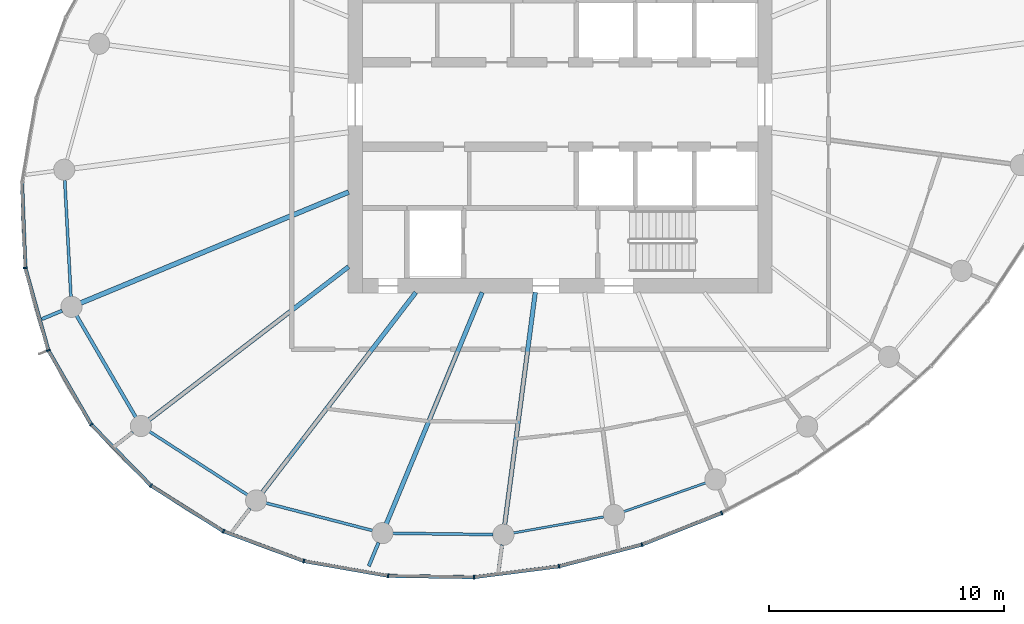
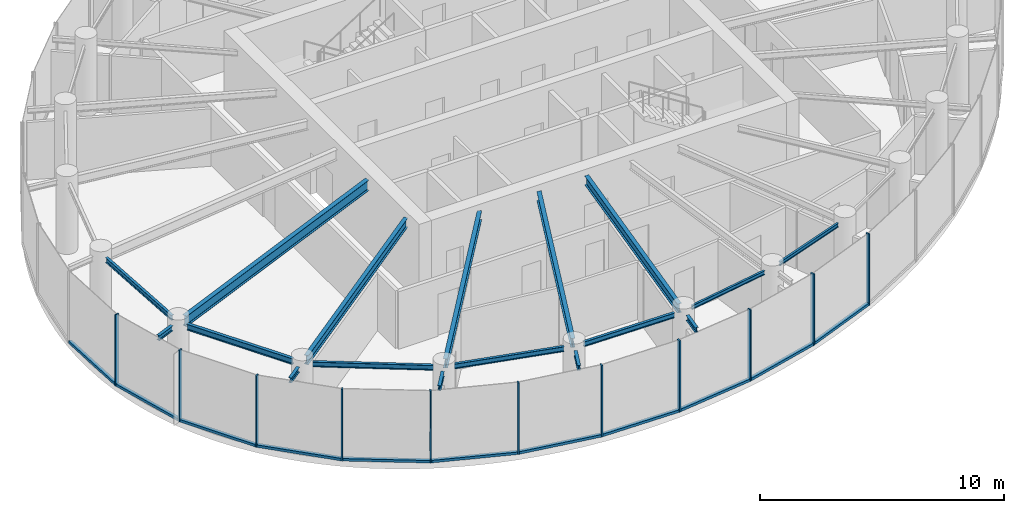
# One storey, part 2 of 14: 22 members, 17 beams, 3 elements without a shape of their own.
"""IFC4 building model written with IfcOpenShell, lengths in metres."""

from ifc_helpers import new_model, si_unit, direction, frame, origin, origin_2d, place, context, subcontext, project, spatial, rectangle, i_section, extrude, source, transform, mapped, material, layer, layer_set, material_profile, profile_set, type_object, element, aggregate, save


model = new_model("IFC4")

# Units and contexts
model_context = context("Model", 3, precision=1e-05, world=origin(), true_north=direction((0.0, 1.0)))
body_context = subcontext(model_context, "Body", "Model", "MODEL_VIEW")
ifc_project = project(units=[si_unit("LENGTHUNIT", "METRE"), si_unit("AREAUNIT", "SQUARE_METRE"), si_unit("VOLUMEUNIT", "CUBIC_METRE"), si_unit("PLANEANGLEUNIT", "RADIAN"), si_unit("MASSUNIT", "GRAM", prefix="KILO")], contexts=[model_context])

# Site, building, storey
site_placement = place(None, origin())
site = spatial("IfcSite", under=ifc_project, at=site_placement, CompositionType="ELEMENT")
building_placement = place(site_placement, origin())
building = spatial("IfcBuilding", under=site, at=building_placement, Name="Spindrift Exchange Tower", CompositionType="ELEMENT")
storey_placement = place(building_placement, frame((0.0, 0.0, 215.0)))
storey = spatial("IfcBuildingStorey", under=building, at=storey_placement, Name="L52", CompositionType="ELEMENT", Elevation=215.0)

# Beams
ifc_material_1 = material(Name="Steel Grade 300", Category="steel")
ifc_material_profile_1 = material_profile(ifc_material_1, i_section(OverallWidth=0.208984375, OverallDepth=0.528076171875, WebThickness=0.009521484375, FlangeThickness=0.01318359375, FilletRadius=0.013916015625, at=origin_2d()), Name="530UB82.0")
ifc_profile_set_1 = profile_set([ifc_material_profile_1], Name="Steel Grade 300")
beam_type_1 = type_object("IfcBeamType", Name="Floor Beam 530UB82.0 Steel Grade 300", PredefinedType="BEAM", material=ifc_profile_set_1)
shared_shape_1 = source(origin(), body_context, "Body", "SweptSolid", [
    extrude(i_section(OverallWidth=0.208984375, OverallDepth=0.528076171875, WebThickness=0.009521484375, FlangeThickness=0.01318359375, FilletRadius=0.013916015625, at=origin_2d()), origin(), (0.0, 0.0, 1.0), 12.3115234375),
])
beam_1_placement = place(storey_placement, frame((43.0185546875, 44.27978515625, 3.31591796875), z_axis=(-0.923878099838, -0.382686891126, 0.0), x_axis=(0.382686891126, -0.923878099838, 0.0)))
element("IfcBeam", 1, at=beam_1_placement, inside=storey, type_object=beam_type_1, Name="L52 radial beam R14A", PredefinedType="BEAM", context=body_context, shape_type="MappedRepresentation", body=[
    mapped(shared_shape_1, transform((0.0, 0.0, 0.0), scale=1.0)),
])
ifc_material_profile_2 = material_profile(ifc_material_1, i_section(OverallWidth=0.18994140625, OverallDepth=0.4541015625, WebThickness=0.008544921875, FlangeThickness=0.0126953125, FilletRadius=0.013916015625, at=origin_2d()), Name="460UB67.1")
ifc_profile_set_2 = profile_set([ifc_material_profile_2], Name="Steel Grade 300")
beam_type_2 = type_object("IfcBeamType", Name="Floor Beam 460UB67.1 Steel Grade 300", PredefinedType="BEAM", material=ifc_profile_set_2)
shared_shape_2 = source(origin(), body_context, "Body", "SweptSolid", [
    extrude(i_section(OverallWidth=0.18994140625, OverallDepth=0.4541015625, WebThickness=0.008544921875, FlangeThickness=0.0126953125, FilletRadius=0.013916015625, at=origin_2d()), origin(), (0.0, 0.0, 1.0), 10.684814453125),
])
beam_2_placement = place(storey_placement, frame((43.015869140625, 41.106201171875, 3.35302734375), z_axis=(-0.793357316898, -0.608756246559, 0.0), x_axis=(0.608756246559, -0.793357316898, 0.0)))
element("IfcBeam", 2, at=beam_2_placement, inside=storey, type_object=beam_type_2, Name="L52 radial beam R15A", PredefinedType="BEAM", context=body_context, shape_type="MappedRepresentation", body=[
    mapped(shared_shape_2, transform((0.0, 0.0, 0.0), scale=1.0)),
])
shared_shape_3 = source(origin(), body_context, "Body", "SweptSolid", [
    extrude(i_section(OverallWidth=0.18994140625, OverallDepth=0.4541015625, WebThickness=0.008544921875, FlangeThickness=0.0126953125, FilletRadius=0.013916015625, at=origin_2d()), origin(), (0.0, 0.0, 1.0), 10.711181640625),
])
beam_3_placement = place(storey_placement, frame((45.87353515625, 40.015869140625, 3.35302734375), z_axis=(-0.608756401092, -0.793357198322, 0.0), x_axis=(0.793357198322, -0.608756401092, 0.0)))
element("IfcBeam", 3, at=beam_3_placement, inside=storey, type_object=beam_type_2, Name="L52 radial beam R16A", PredefinedType="BEAM", context=body_context, shape_type="MappedRepresentation", body=[
    mapped(shared_shape_3, transform((0.0, 0.0, 0.0), scale=1.0)),
])
shared_shape_4 = source(origin(), body_context, "Body", "SweptSolid", [
    extrude(i_section(OverallWidth=0.18994140625, OverallDepth=0.4541015625, WebThickness=0.008544921875, FlangeThickness=0.0126953125, FilletRadius=0.013916015625, at=origin_2d()), origin(), (0.0, 0.0, 1.0), 10.64111328125),
])
beam_4_placement = place(storey_placement, frame((48.69384765625, 40.0185546875, 3.35302734375), z_axis=(-0.382672627597, -0.923884007919, 0.0), x_axis=(0.923884007919, -0.382672627597, 0.0)))
element("IfcBeam", 4, at=beam_4_placement, inside=storey, type_object=beam_type_2, Name="L52 radial beam R17A", PredefinedType="BEAM", context=body_context, shape_type="MappedRepresentation", body=[
    mapped(shared_shape_4, transform((0.0, 0.0, 0.0), scale=1.0)),
])
shared_shape_5 = source(origin(), body_context, "Body", "SweptSolid", [
    extrude(i_section(OverallWidth=0.18994140625, OverallDepth=0.4541015625, WebThickness=0.008544921875, FlangeThickness=0.0126953125, FilletRadius=0.013916015625, at=origin_2d()), origin(), (0.0, 0.0, 1.0), 9.95703125),
])
beam_5_placement = place(storey_placement, frame((50.949462890625, 40.019775390625, 3.35302734375), z_axis=(-0.130541406635, -0.991442858239, 0.0), x_axis=(0.991442858239, -0.130541406635, 0.0)))
element("IfcBeam", 5, at=beam_5_placement, inside=storey, type_object=beam_type_2, Name="L52 radial beam R18A", PredefinedType="BEAM", context=body_context, shape_type="MappedRepresentation", body=[
    mapped(shared_shape_5, transform((0.0, 0.0, 0.0), scale=1.0)),
])
ifc_material_profile_3 = material_profile(ifc_material_1, i_section(OverallWidth=0.1240234375, OverallDepth=0.248046875, WebThickness=0.0048828125, FlangeThickness=0.008056640625, FilletRadius=0.011962890625, at=origin_2d()), Name="250UB25.7")
ifc_profile_set_3 = profile_set([ifc_material_profile_3], Name="Steel Grade 300")
beam_type_3 = type_object("IfcBeamType", Name="Edge Beam 250UB25.7 Steel Grade 300", PredefinedType="SPANDREL", material=ifc_profile_set_3)
shared_shape_6 = source(origin(), body_context, "Body", "SweptSolid", [
    extrude(i_section(OverallWidth=0.1240234375, OverallDepth=0.248046875, WebThickness=0.0048828125, FlangeThickness=0.008056640625, FilletRadius=0.011962890625, at=origin_2d()), origin(), (0.0, 0.0, 1.0), 4.971435546875),
])
beam_6_placement = place(storey_placement, frame((30.96044921875, 44.797607421875, 3.4560546875), z_axis=(0.053038255124, -0.998592481192, 0.0), x_axis=(0.998592481192, 0.053038255124, 0.0)))
element("IfcBeam", 6, at=beam_6_placement, inside=storey, type_object=beam_type_3, Name="L52 edge beam E13", PredefinedType="SPANDREL", context=body_context, shape_type="MappedRepresentation", body=[
    mapped(shared_shape_6, transform((0.0, 0.0, 0.0), scale=1.0)),
])
ifc_material_profile_4 = material_profile(ifc_material_1, i_section(OverallWidth=0.14892578125, OverallDepth=0.298095703125, WebThickness=0.005615234375, FlangeThickness=0.008056640625, FilletRadius=0.012939453125, at=origin_2d()), Name="310UB32.0")
ifc_profile_set_4 = profile_set([ifc_material_profile_4], Name="Steel Grade 300")
beam_type_4 = type_object("IfcBeamType", Name="Edge Beam 310UB32.0 Steel Grade 300", PredefinedType="SPANDREL", material=ifc_profile_set_4)
shared_shape_7 = source(origin(), body_context, "Body", "SweptSolid", [
    extrude(i_section(OverallWidth=0.14892578125, OverallDepth=0.298095703125, WebThickness=0.005615234375, FlangeThickness=0.008056640625, FilletRadius=0.012939453125, at=origin_2d()), origin(), (0.0, 0.0, 1.0), 5.0009765625),
])
beam_7_placement = place(storey_placement, frame((31.46337890625, 39.0322265625, 3.430908203125), z_axis=(0.503512812094, -0.863987759205, 0.0), x_axis=(0.863987759205, 0.503512812094, 0.0)))
element("IfcBeam", 7, at=beam_7_placement, inside=storey, type_object=beam_type_4, Name="L52 edge beam E14", PredefinedType="SPANDREL", context=body_context, shape_type="MappedRepresentation", body=[
    mapped(shared_shape_7, transform((0.0, 0.0, 0.0), scale=1.0)),
])
shared_shape_8 = source(origin(), body_context, "Body", "SweptSolid", [
    extrude(i_section(OverallWidth=0.1240234375, OverallDepth=0.248046875, WebThickness=0.0048828125, FlangeThickness=0.008056640625, FilletRadius=0.011962890625, at=origin_2d()), origin(), (0.0, 0.0, 1.0), 4.966552734375),
])
beam_8_placement = place(storey_placement, frame((34.55908203125, 34.106689453125, 3.4560546875), z_axis=(0.839802198579, -0.54289250065, 0.0), x_axis=(0.54289250065, 0.839802198579, 0.0)))
element("IfcBeam", 8, at=beam_8_placement, inside=storey, type_object=beam_type_3, Name="L52 edge beam E15", PredefinedType="SPANDREL", context=body_context, shape_type="MappedRepresentation", body=[
    mapped(shared_shape_8, transform((0.0, 0.0, 0.0), scale=1.0)),
])
shared_shape_9 = source(origin(), body_context, "Body", "SweptSolid", [
    extrude(i_section(OverallWidth=0.1240234375, OverallDepth=0.248046875, WebThickness=0.0048828125, FlangeThickness=0.008056640625, FilletRadius=0.011962890625, at=origin_2d()), origin(), (0.0, 0.0, 1.0), 4.682373046875),
])
beam_9_placement = place(storey_placement, frame((39.507568359375, 31.0693359375, 3.4560546875), z_axis=(0.968201586176, -0.250171318352, 0.0), x_axis=(0.250171318352, 0.968201586176, 0.0)))
element("IfcBeam", 9, at=beam_9_placement, inside=storey, type_object=beam_type_3, Name="L52 edge beam E16", PredefinedType="SPANDREL", context=body_context, shape_type="MappedRepresentation", body=[
    mapped(shared_shape_9, transform((0.0, 0.0, 0.0), scale=1.0)),
])
shared_shape_10 = source(origin(), body_context, "Body", "SweptSolid", [
    extrude(i_section(OverallWidth=0.1240234375, OverallDepth=0.248046875, WebThickness=0.0048828125, FlangeThickness=0.008056640625, FilletRadius=0.011962890625, at=origin_2d()), origin(), (0.0, 0.0, 1.0), 4.27685546875),
])
beam_10_placement = place(storey_placement, frame((44.88720703125, 29.78466796875, 3.4560546875), z_axis=(0.999910013527, -0.013415097807, 0.0), x_axis=(0.013415097807, 0.999910013527, 0.0)))
element("IfcBeam", 10, at=beam_10_placement, inside=storey, type_object=beam_type_3, Name="L52 edge beam E17", PredefinedType="SPANDREL", context=body_context, shape_type="MappedRepresentation", body=[
    mapped(shared_shape_10, transform((0.0, 0.0, 0.0), scale=1.0)),
])
ifc_material_profile_5 = material_profile(ifc_material_1, i_section(OverallWidth=0.09912109375, OverallDepth=0.197998046875, WebThickness=0.00439453125, FlangeThickness=0.007080078125, FilletRadius=0.010986328125, at=origin_2d()), Name="200UB18.2")
ifc_profile_set_5 = profile_set([ifc_material_profile_5], Name="Steel Grade 300")
beam_type_5 = type_object("IfcBeamType", Name="Edge Beam 200UB18.2 Steel Grade 300", PredefinedType="SPANDREL", material=ifc_profile_set_5)
shared_shape_11 = source(origin(), body_context, "Body", "SweptSolid", [
    extrude(i_section(OverallWidth=0.09912109375, OverallDepth=0.197998046875, WebThickness=0.00439453125, FlangeThickness=0.007080078125, FilletRadius=0.010986328125, at=origin_2d()), origin(), (0.0, 0.0, 1.0), 3.916259765625),
])
beam_11_placement = place(storey_placement, frame((50.01708984375, 29.796875, 3.48095703125), z_axis=(0.984558687682, 0.175054821441, 0.0), x_axis=(-0.175054821441, 0.984558687682, 0.0)))
element("IfcBeam", 11, at=beam_11_placement, inside=storey, type_object=beam_type_5, Name="L52 edge beam E18", PredefinedType="SPANDREL", context=body_context, shape_type="MappedRepresentation", body=[
    mapped(shared_shape_11, transform((0.0, 0.0, 0.0), scale=1.0)),
])
shared_shape_12 = source(origin(), body_context, "Body", "SweptSolid", [
    extrude(i_section(OverallWidth=0.09912109375, OverallDepth=0.197998046875, WebThickness=0.00439453125, FlangeThickness=0.007080078125, FilletRadius=0.010986328125, at=origin_2d()), origin(), (0.0, 0.0, 1.0), 3.700439453125),
])
beam_12_placement = place(storey_placement, frame((54.701904296875, 30.699951171875, 3.48095703125), z_axis=(0.943515334916, 0.331328858957, 0.0), x_axis=(-0.331328858957, 0.943515334916, 0.0)))
element("IfcBeam", 12, at=beam_12_placement, inside=storey, type_object=beam_type_5, Name="L52 edge beam E19", PredefinedType="SPANDREL", context=body_context, shape_type="MappedRepresentation", body=[
    mapped(shared_shape_12, transform((0.0, 0.0, 0.0), scale=1.0)),
])
ifc_material_profile_6 = material_profile(ifc_material_1, i_section(OverallWidth=0.14599609375, OverallDepth=0.251953125, WebThickness=0.006103515625, FlangeThickness=0.008544921875, FilletRadius=0.011962890625, at=origin_2d()), Name="250UB31.4")
ifc_profile_set_6 = profile_set([ifc_material_profile_6], Name="Steel Grade 300")
beam_type_6 = type_object("IfcBeamType", Name="Cantilever Beam 250UB31.4 Steel Grade 300", PredefinedType="BEAM", material=ifc_profile_set_6)
shared_shape_13 = source(origin(), body_context, "Body", "SweptSolid", [
    extrude(i_section(OverallWidth=0.14599609375, OverallDepth=0.251953125, WebThickness=0.006103515625, FlangeThickness=0.008544921875, FilletRadius=0.011962890625, at=origin_2d()), origin(), (0.0, 0.0, 1.0), 0.931396484375),
])
beam_13_placement = place(storey_placement, frame((30.849609375, 39.2392578125, 3.4541015625), z_axis=(-0.923889058869, -0.382660432893, 0.0), x_axis=(0.382660432893, -0.923889058869, 0.0)))
element("IfcBeam", 13, at=beam_13_placement, inside=storey, type_object=beam_type_6, Name="L52 cantilever beam R14T", PredefinedType="BEAM", context=body_context, shape_type="MappedRepresentation", body=[
    mapped(shared_shape_13, transform((0.0, 0.0, 0.0), scale=1.0)),
])
shared_shape_14 = source(origin(), body_context, "Body", "SweptSolid", [
    extrude(i_section(OverallWidth=0.14599609375, OverallDepth=0.251953125, WebThickness=0.006103515625, FlangeThickness=0.008544921875, FilletRadius=0.011962890625, at=origin_2d()), origin(), (0.0, 0.0, 1.0), 0.87890625),
])
beam_14_placement = place(storey_placement, frame((33.856689453125, 34.078125, 3.4541015625), z_axis=(-0.793418526324, -0.608676467498, 0.0), x_axis=(0.608676467498, -0.793418526324, 0.0)))
element("IfcBeam", 14, at=beam_14_placement, inside=storey, type_object=beam_type_6, Name="L52 cantilever beam R15T", PredefinedType="BEAM", context=body_context, shape_type="MappedRepresentation", body=[
    mapped(shared_shape_14, transform((0.0, 0.0, 0.0), scale=1.0)),
])
shared_shape_15 = source(origin(), body_context, "Body", "SweptSolid", [
    extrude(i_section(OverallWidth=0.14599609375, OverallDepth=0.251953125, WebThickness=0.006103515625, FlangeThickness=0.008544921875, FilletRadius=0.011962890625, at=origin_2d()), origin(), (0.0, 0.0, 1.0), 1.06689453125),
])
beam_15_placement = place(storey_placement, frame((38.829345703125, 30.835693359375, 3.4541015625), z_axis=(-0.608714952833, -0.793389000553, 0.0), x_axis=(0.793389000553, -0.608714952833, 0.0)))
element("IfcBeam", 15, at=beam_15_placement, inside=storey, type_object=beam_type_6, Name="L52 cantilever beam R16T", PredefinedType="BEAM", context=body_context, shape_type="MappedRepresentation", body=[
    mapped(shared_shape_15, transform((0.0, 0.0, 0.0), scale=1.0)),
])
shared_shape_16 = source(origin(), body_context, "Body", "SweptSolid", [
    extrude(i_section(OverallWidth=0.14599609375, OverallDepth=0.251953125, WebThickness=0.006103515625, FlangeThickness=0.008544921875, FilletRadius=0.011962890625, at=origin_2d()), origin(), (0.0, 0.0, 1.0), 1.087890625),
])
beam_16_placement = place(storey_placement, frame((44.292724609375, 29.39306640625, 3.4541015625), z_axis=(-0.382622665647, -0.923904700569, 0.0), x_axis=(0.923904700569, -0.382622665647, 0.0)))
element("IfcBeam", 16, at=beam_16_placement, inside=storey, type_object=beam_type_6, Name="L52 cantilever beam R17T", PredefinedType="BEAM", context=body_context, shape_type="MappedRepresentation", body=[
    mapped(shared_shape_16, transform((0.0, 0.0, 0.0), scale=1.0)),
])
shared_shape_17 = source(origin(), body_context, "Body", "SweptSolid", [
    extrude(i_section(OverallWidth=0.14599609375, OverallDepth=0.251953125, WebThickness=0.006103515625, FlangeThickness=0.008544921875, FilletRadius=0.011962890625, at=origin_2d()), origin(), (0.0, 0.0, 1.0), 0.994384765625),
])
beam_17_placement = place(storey_placement, frame((49.53759765625, 29.29541015625, 3.4541015625), z_axis=(-0.130619643054, -0.991432553858, 0.0), x_axis=(0.991432553858, -0.130619643054, 0.0)))
element("IfcBeam", 17, at=beam_17_placement, inside=storey, type_object=beam_type_6, Name="L52 cantilever beam R18T", PredefinedType="BEAM", context=body_context, shape_type="MappedRepresentation", body=[
    mapped(shared_shape_17, transform((0.0, 0.0, 0.0), scale=1.0)),
])

# Curtain wall, members
ifc_material_2 = material(Name="Fritted laminated glass with bronze frame", Category="glass")
ifc_layer = layer(ifc_material_2, 0.169921875)
ifc_layer_set = layer_set([ifc_layer], Name="ZONE 4 BRONZE FRITTED WALL")
curtain_wall_type = type_object("IfcCurtainWallType", Name="ZONE 4 BRONZE FRITTED WALL", PredefinedType="NOTDEFINED", material=ifc_layer_set)
curtain_wall_1_placement = place(storey_placement, origin())
curtain_wall_1 = element("IfcCurtainWall", 18, at=curtain_wall_1_placement, inside=storey, type_object=curtain_wall_type, Name="L52 Zone 4 Bronze Fritted Wall run 5", PredefinedType="NOTDEFINED")
ifc_material_3 = material(Name="Bronze anodised aluminium", Category="aluminium")
ifc_material_profile_7 = material_profile(ifc_material_3, rectangle(XDim=0.14990234375, YDim=0.125, at=origin_2d()), Name="ZONE 4 BRONZE FRITTED WALL TRANSOM 150X125")
ifc_profile_set_7 = profile_set([ifc_material_profile_7], Name="Bronze anodised aluminium")
member_type_1 = type_object("IfcMemberType", Name="ZONE 4 BRONZE FRITTED WALL TRANSOM 150X125", PredefinedType="USERDEFINED", material=ifc_profile_set_7)
shared_shape_18 = source(origin(), body_context, "Body", "SweptSolid", [
    extrude(rectangle(XDim=0.14990234375, YDim=0.125, at=origin_2d()), origin(), (0.0, 0.0, 1.0), 3.57763671875),
])
member_1_placement = place(storey_placement, frame((55.509033203125, 29.312255859375, 0.0625), z_axis=(0.929732641706, 0.368235271187, 0.0), x_axis=(-0.368235271187, 0.929732641706, 0.0)))
member_1 = element("IfcMember", 19, at=member_1_placement, type_object=member_type_1, Name="L52 transom CW-4.27", ObjectType="TRANSOM", PredefinedType="USERDEFINED", context=body_context, shape_type="MappedRepresentation", body=[
    mapped(shared_shape_18, transform((0.0, 0.0, 0.0), scale=1.0)),
])
shared_shape_19 = source(origin(), body_context, "Body", "SweptSolid", [
    extrude(rectangle(XDim=0.14990234375, YDim=0.125, at=origin_2d()), origin(), (0.0, 0.0, 1.0), 3.5771484375),
])
member_2_placement = place(storey_placement, frame((48.373779296875, 27.923828125, 0.0625), z_axis=(0.992022759332, 0.126058894839, 0.0), x_axis=(-0.126058894839, 0.992022759332, 0.0)))
member_2 = element("IfcMember", 20, at=member_2_placement, type_object=member_type_1, Name="L52 transom CW-4.25", ObjectType="TRANSOM", PredefinedType="USERDEFINED", context=body_context, shape_type="MappedRepresentation", body=[
    mapped(shared_shape_19, transform((0.0, 0.0, 0.0), scale=1.0)),
])

# Curtain wall, member
curtain_wall_2_placement = place(storey_placement, origin())
curtain_wall_2 = element("IfcCurtainWall", 21, at=curtain_wall_2_placement, inside=storey, type_object=curtain_wall_type, Name="L52 Zone 4 Bronze Fritted Wall run 4", PredefinedType="NOTDEFINED")
shared_shape_20 = source(origin(), body_context, "Body", "SweptSolid", [
    extrude(rectangle(XDim=0.14990234375, YDim=0.125, at=origin_2d()), origin(), (0.0, 0.0, 1.0), 3.575439453125),
])
member_3_placement = place(storey_placement, frame((41.146728515625, 28.597900390625, 0.0625), z_axis=(0.984965179036, -0.17275299154, 0.0), x_axis=(0.17275299154, 0.984965179036, 0.0)))
member_3 = element("IfcMember", 22, at=member_3_placement, type_object=member_type_1, Name="L52 transom CW-4.23", ObjectType="TRANSOM", PredefinedType="USERDEFINED", context=body_context, shape_type="MappedRepresentation", body=[
    mapped(shared_shape_20, transform((0.0, 0.0, 0.0), scale=1.0)),
])

curtain_wall_3_placement = place(storey_placement, origin())
curtain_wall_3 = element("IfcCurtainWall", 23, at=curtain_wall_3_placement, inside=storey, type_object=curtain_wall_type, Name="L52 Zone 4 Bronze Fritted Wall run 3", PredefinedType="NOTDEFINED")
shared_shape_21 = source(origin(), body_context, "Body", "SweptSolid", [
    extrude(rectangle(XDim=0.14990234375, YDim=0.125, at=origin_2d()), origin(), (0.0, 0.0, 1.0), 3.57080078125),
])
member_4_placement = place(storey_placement, frame((29.29638671875, 41.02587890625, 0.0625), z_axis=(0.269117594292, -0.963107325506, 0.0), x_axis=(0.963107325506, 0.269117594292, 0.0)))
member_4 = element("IfcMember", 24, at=member_4_placement, type_object=member_type_1, Name="L52 transom CW-4.18", ObjectType="TRANSOM", PredefinedType="USERDEFINED", context=body_context, shape_type="MappedRepresentation", body=[
    mapped(shared_shape_21, transform((0.0, 0.0, 0.0), scale=1.0)),
])

# Member
member_5_placement = place(storey_placement, frame((32.105712890625, 34.3837890625, 0.0625), z_axis=(0.6993040289, -0.714824366655, 0.0), x_axis=(0.714824366655, 0.6993040289, 0.0)))
member_5 = element("IfcMember", 25, at=member_5_placement, type_object=member_type_1, Name="L52 transom CW-4.20", ObjectType="TRANSOM", PredefinedType="USERDEFINED", context=body_context, shape_type="MappedRepresentation", body=[
    mapped(shared_shape_21, transform((0.0, 0.0, 0.0), scale=1.0)),
])

shared_shape_22 = source(origin(), body_context, "Body", "SweptSolid", [
    extrude(rectangle(XDim=0.14990234375, YDim=0.125, at=origin_2d()), origin(), (0.0, 0.0, 1.0), 3.570068359375),
])
member_6_placement = place(storey_placement, frame((30.2822265625, 37.52734375, 0.0625), z_axis=(0.499890179513, -0.866088799389, 0.0), x_axis=(0.866088799389, 0.499890179513, 0.0)))
member_6 = element("IfcMember", 26, at=member_6_placement, type_object=member_type_1, Name="L52 transom CW-4.19", ObjectType="TRANSOM", PredefinedType="USERDEFINED", context=body_context, shape_type="MappedRepresentation", body=[
    mapped(shared_shape_22, transform((0.0, 0.0, 0.0), scale=1.0)),
])

shared_shape_23 = source(origin(), body_context, "Body", "SweptSolid", [
    extrude(rectangle(XDim=0.14990234375, YDim=0.125, at=origin_2d()), origin(), (0.0, 0.0, 1.0), 3.572509765625),
])
member_7_placement = place(storey_placement, frame((29.1484375, 44.659423828125, 0.0625), z_axis=(0.038611590507, -0.999254294501, 0.0), x_axis=(0.999254294501, 0.038611590507, 0.0)))
member_7 = element("IfcMember", 27, at=member_7_placement, type_object=member_type_1, Name="L52 transom CW-4.17", ObjectType="TRANSOM", PredefinedType="USERDEFINED", context=body_context, shape_type="MappedRepresentation", body=[
    mapped(shared_shape_23, transform((0.0, 0.0, 0.0), scale=1.0)),
])

member_8_placement = place(storey_placement, frame((34.65283203125, 31.790771484375, 0.0625), z_axis=(0.84588002585, -0.533373210677, 0.0), x_axis=(0.533373210677, 0.84588002585, 0.0)))
member_8 = element("IfcMember", 28, at=member_8_placement, type_object=member_type_1, Name="L52 transom CW-4.21", ObjectType="TRANSOM", PredefinedType="USERDEFINED", context=body_context, shape_type="MappedRepresentation", body=[
    mapped(shared_shape_23, transform((0.0, 0.0, 0.0), scale=1.0)),
])

shared_shape_24 = source(origin(), body_context, "Body", "SweptSolid", [
    extrude(rectangle(XDim=0.14990234375, YDim=0.125, at=origin_2d()), origin(), (0.0, 0.0, 1.0), 3.57666015625),
])
member_9_placement = place(storey_placement, frame((44.73291015625, 27.97412109375, 0.0625), z_axis=(0.99988620485, -0.015085667072, 0.0), x_axis=(0.015085667072, 0.99988620485, 0.0)))
member_9 = element("IfcMember", 29, at=member_9_placement, type_object=member_type_1, Name="L52 transom CW-4.24", ObjectType="TRANSOM", PredefinedType="USERDEFINED", context=body_context, shape_type="MappedRepresentation", body=[
    mapped(shared_shape_24, transform((0.0, 0.0, 0.0), scale=1.0)),
])

shared_shape_25 = source(origin(), body_context, "Body", "SweptSolid", [
    extrude(rectangle(XDim=0.14990234375, YDim=0.125, at=origin_2d()), origin(), (0.0, 0.0, 1.0), 3.577392578125),
])
member_10_placement = place(storey_placement, frame((51.986083984375, 28.38720703125, 0.0625), z_axis=(0.967489599755, 0.252910803181, 0.0), x_axis=(-0.252910803181, 0.967489599755, 0.0)))
member_10 = element("IfcMember", 30, at=member_10_placement, type_object=member_type_1, Name="L52 transom CW-4.26", ObjectType="TRANSOM", PredefinedType="USERDEFINED", context=body_context, shape_type="MappedRepresentation", body=[
    mapped(shared_shape_25, transform((0.0, 0.0, 0.0), scale=1.0)),
])

ifc_material_profile_8 = material_profile(ifc_material_3, rectangle(XDim=0.06494140625, YDim=0.169921875, at=origin_2d()), Name="ZONE 4 BRONZE FRITTED WALL MULLION 65X170")
ifc_profile_set_8 = profile_set([ifc_material_profile_8], Name="Bronze anodised aluminium")
member_type_2 = type_object("IfcMemberType", Name="ZONE 4 BRONZE FRITTED WALL MULLION 65X170", PredefinedType="MULLION", material=ifc_profile_set_8)
shared_shape_26 = source(origin(), body_context, "Body", "SweptSolid", [
    extrude(rectangle(XDim=0.06494140625, YDim=0.169921875, at=origin_2d()), origin(), (0.0, 0.0, 1.0), 3.580078125),
])
member_11_placement = place(storey_placement, frame((29.28759765625, 41.05712890625, 0.0), z_axis=(0.0, 0.0, 1.0), x_axis=(0.154937661335, -0.987924248665, 0.0)))
member_11 = element("IfcMember", 31, at=member_11_placement, type_object=member_type_2, Name="L52 mullion CW-4.18", PredefinedType="MULLION", context=body_context, shape_type="MappedRepresentation", body=[
    mapped(shared_shape_26, transform((0.0, 0.0, 0.0), scale=1.0)),
])

aggregate(curtain_wall_3, [member_7, member_11, member_4])

member_12_placement = place(storey_placement, frame((30.26611328125, 37.555419921875, 0.0), z_axis=(0.0, 0.0, 1.0), x_axis=(0.38753751543, -0.921853933188, 0.0)))
member_12 = element("IfcMember", 32, at=member_12_placement, type_object=member_type_2, Name="L52 mullion CW-4.19", PredefinedType="MULLION", context=body_context, shape_type="MappedRepresentation", body=[
    mapped(shared_shape_26, transform((0.0, 0.0, 0.0), scale=1.0)),
])

member_13_placement = place(storey_placement, frame((32.0830078125, 34.406982421875, 0.0), z_axis=(0.0, 0.0, 1.0), x_axis=(0.60430078529, -0.796756274464, 0.0)))
member_13 = element("IfcMember", 33, at=member_13_placement, type_object=member_type_2, Name="L52 mullion CW-4.20", PredefinedType="MULLION", context=body_context, shape_type="MappedRepresentation", body=[
    mapped(shared_shape_26, transform((0.0, 0.0, 0.0), scale=1.0)),
])

member_14_placement = place(storey_placement, frame((34.62548828125, 31.80810546875, 0.0), z_axis=(0.0, 0.0, 1.0), x_axis=(0.777881825558, -0.628410586692, 0.0)))
member_14 = element("IfcMember", 34, at=member_14_placement, type_object=member_type_2, Name="L52 mullion CW-4.21", PredefinedType="MULLION", context=body_context, shape_type="MappedRepresentation", body=[
    mapped(shared_shape_26, transform((0.0, 0.0, 0.0), scale=1.0)),
])

member_15_placement = place(storey_placement, frame((37.702392578125, 29.867919921875, 0.0), z_axis=(0.0, 0.0, 1.0), x_axis=(0.896632675088, -0.442775164123, 0.0)))
member_15 = element("IfcMember", 35, at=member_15_placement, type_object=member_type_2, Name="L52 mullion CW-4.22", PredefinedType="MULLION", context=body_context, shape_type="MappedRepresentation", body=[
    mapped(shared_shape_26, transform((0.0, 0.0, 0.0), scale=1.0)),
])

member_16_placement = place(storey_placement, frame((41.11474609375, 28.603515625, 0.0), z_axis=(0.0, 0.0, 1.0), x_axis=(0.965289855593, -0.261180961574, 0.0)))
member_16 = element("IfcMember", 36, at=member_16_placement, type_object=member_type_2, Name="L52 mullion CW-4.23", PredefinedType="MULLION", context=body_context, shape_type="MappedRepresentation", body=[
    mapped(shared_shape_26, transform((0.0, 0.0, 0.0), scale=1.0)),
])

member_17_placement = place(storey_placement, frame((44.700439453125, 27.974609375, 0.0), z_axis=(0.0, 0.0, 1.0), x_axis=(0.995550995688, -0.094224280231, 0.0)))
member_17 = element("IfcMember", 37, at=member_17_placement, type_object=member_type_2, Name="L52 mullion CW-4.24", PredefinedType="MULLION", context=body_context, shape_type="MappedRepresentation", body=[
    mapped(shared_shape_26, transform((0.0, 0.0, 0.0), scale=1.0)),
])

member_18_placement = place(storey_placement, frame((48.341552734375, 27.919677734375, 0.0), z_axis=(0.0, 0.0, 1.0), x_axis=(0.998450100143, 0.055654267806, 0.0)))
member_18 = element("IfcMember", 38, at=member_18_placement, type_object=member_type_2, Name="L52 mullion CW-4.25", PredefinedType="MULLION", context=body_context, shape_type="MappedRepresentation", body=[
    mapped(shared_shape_26, transform((0.0, 0.0, 0.0), scale=1.0)),
])

member_19_placement = place(storey_placement, frame((51.95458984375, 28.37890625, 0.0), z_axis=(0.0, 0.0, 1.0), x_axis=(0.981803404634, 0.189900170217, 0.0)))
member_19 = element("IfcMember", 39, at=member_19_placement, type_object=member_type_2, Name="L52 mullion CW-4.26", PredefinedType="MULLION", context=body_context, shape_type="MappedRepresentation", body=[
    mapped(shared_shape_26, transform((0.0, 0.0, 0.0), scale=1.0)),
])

member_20_placement = place(storey_placement, frame((55.478759765625, 29.30029296875, 0.0), z_axis=(0.0, 0.0, 1.0), x_axis=(0.950353525949, 0.31117226052, 0.0)))
member_20 = element("IfcMember", 40, at=member_20_placement, type_object=member_type_2, Name="L52 mullion CW-4.27", PredefinedType="MULLION", context=body_context, shape_type="MappedRepresentation", body=[
    mapped(shared_shape_26, transform((0.0, 0.0, 0.0), scale=1.0)),
])

member_21_placement = place(storey_placement, frame((58.865478515625, 30.6416015625, 0.0), z_axis=(0.0, 0.0, 1.0), x_axis=(0.906548007356, 0.42210272489, 0.0)))
member_21 = element("IfcMember", 41, at=member_21_placement, type_object=member_type_2, Name="L52 mullion CW-4.28", PredefinedType="MULLION", context=body_context, shape_type="MappedRepresentation", body=[
    mapped(shared_shape_26, transform((0.0, 0.0, 0.0), scale=1.0)),
])

aggregate(curtain_wall_1, [member_18, member_2, member_19, member_10, member_20, member_1, member_21])

shared_shape_27 = source(origin(), body_context, "Body", "SweptSolid", [
    extrude(rectangle(XDim=0.14990234375, YDim=0.125, at=origin_2d()), origin(), (0.0, 0.0, 1.0), 3.57421875),
])
member_22_placement = place(storey_placement, frame((37.732666015625, 29.856689453125, 0.0625), z_axis=(0.937714149546, -0.34740779171, 0.0), x_axis=(0.34740779171, 0.937714149546, 0.0)))
member_22 = element("IfcMember", 42, at=member_22_placement, type_object=member_type_1, Name="L52 transom CW-4.22", ObjectType="TRANSOM", PredefinedType="USERDEFINED", context=body_context, shape_type="MappedRepresentation", body=[
    mapped(shared_shape_27, transform((0.0, 0.0, 0.0), scale=1.0)),
])

aggregate(curtain_wall_2, [member_12, member_6, member_13, member_5, member_14, member_8, member_15, member_22, member_16, member_3, member_17, member_9])

save(model, "model.ifc")
